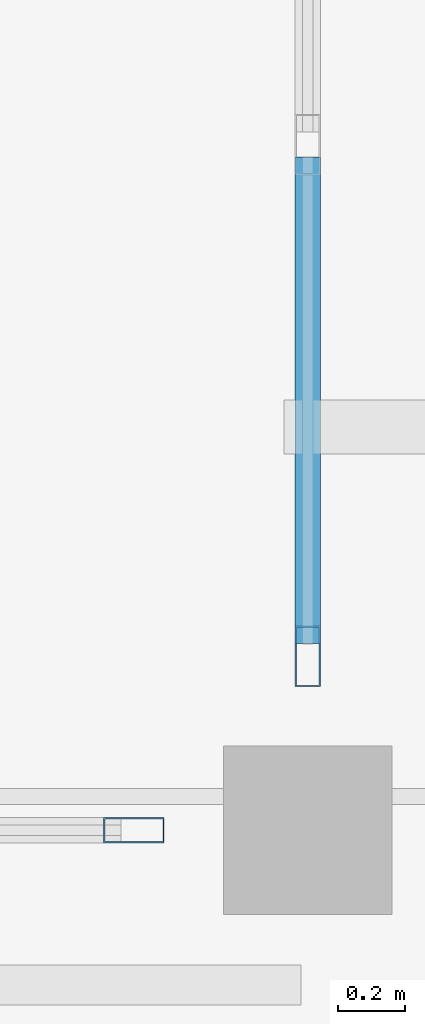
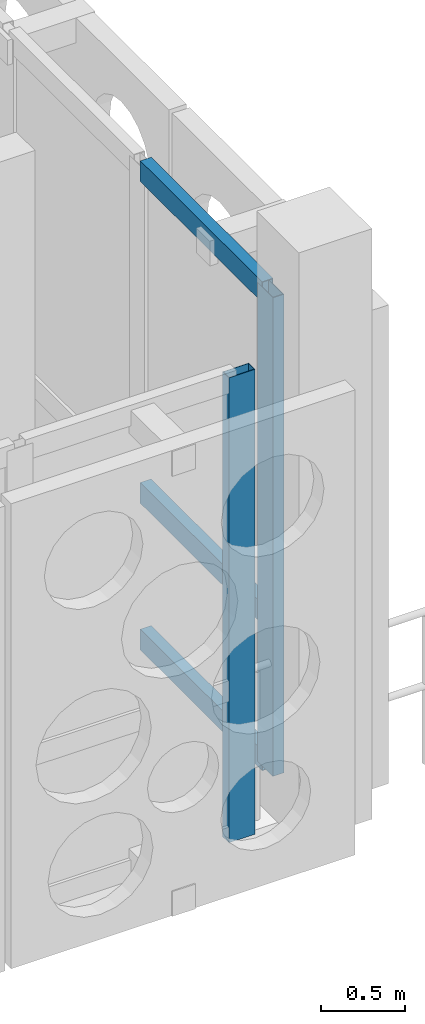
# One storey, part 31 of 171: 5 members, 2 elements without a shape of their own.
"""IFC4 building model written with IfcOpenShell, lengths in metres."""

from ifc_helpers import new_model, si_unit, direction, frame, origin, origin_2d, place, context, subcontext, project, spatial, hollow_rectangle, extrude, material, material_profile, profile_set, type_object, element, aggregate, save


model = new_model("IFC4")

# Units and contexts
model_context = context("Model", 3, precision=1e-05, world=origin(), true_north=direction((0.0, 1.0)))
body_context = subcontext(model_context, "Body", "Model", "MODEL_VIEW")
ifc_project = project(units=[si_unit("LENGTHUNIT", "METRE"), si_unit("AREAUNIT", "SQUARE_METRE"), si_unit("VOLUMEUNIT", "CUBIC_METRE"), si_unit("PLANEANGLEUNIT", "RADIAN"), si_unit("MASSUNIT", "GRAM", prefix="KILO")], contexts=[model_context])

# Site, building, storey
site_placement = place(None, origin())
site = spatial("IfcSite", under=ifc_project, at=site_placement, CompositionType="ELEMENT")
building_placement = place(site_placement, origin())
building = spatial("IfcBuilding", under=site, at=building_placement, Name="Aldebral Square Health Centre", CompositionType="ELEMENT")
storey_placement = place(building_placement, frame((0.0, 0.0, 4.5)))
storey = spatial("IfcBuildingStorey", under=building, at=storey_placement, Name="L01", CompositionType="ELEMENT", Elevation=4.5)

# Curtain wall, member
ifc_material_1 = material(Name="Aluminium and low-E solar glass", Category="aluminium")
curtain_wall_type = type_object("IfcCurtainWallType", Name="CW-HALL-SYS", PredefinedType="USERDEFINED", material=ifc_material_1)
curtain_wall_1_placement = place(storey_placement, origin())
curtain_wall_1 = element("IfcCurtainWall", 1, at=curtain_wall_1_placement, inside=storey, type_object=curtain_wall_type, Name="L01 V1 hall curtain wall L01-V1-10-13-S", ObjectType="HALL_CURTAIN_WALL", PredefinedType="USERDEFINED")
ifc_material_2 = material(Name="Anodised aluminium mullion", Category="aluminium")
ifc_material_profile_1 = material_profile(ifc_material_2, hollow_rectangle(XDim=0.074951171875, YDim=0.179931640625, WallThickness=0.00390625, at=origin_2d()), Name="CWM 75x180x4")
ifc_profile_set_1 = profile_set([ifc_material_profile_1], Name="Anodised aluminium mullion")
member_type_1 = type_object("IfcMemberType", Name="CWM-STD", PredefinedType="MULLION", material=ifc_profile_set_1)
member_1_placement = place(storey_placement, frame((78.6826171875, 93.60009765625, 0.0), z_axis=(0.0, 0.0, 1.0), x_axis=(0.0, 1.0, 0.0)))
member_1 = element("IfcMember", 2, at=member_1_placement, type_object=member_type_1, Name="CW2 mullion 5", PredefinedType="MULLION", context=body_context, shape_type="SweptSolid", body=[
    extrude(hollow_rectangle(XDim=0.074951171875, YDim=0.179931640625, WallThickness=0.00390625, at=origin_2d()), origin(), (0.0, 0.0, 1.0), 3.3701171875),
])
aggregate(curtain_wall_1, [member_1])

# Curtain wall, members
curtain_wall_2_placement = place(storey_placement, origin())
curtain_wall_2 = element("IfcCurtainWall", 3, at=curtain_wall_2_placement, inside=storey, type_object=curtain_wall_type, Name="L01 V1 hall curtain wall L01-V1-10-13-E", ObjectType="HALL_CURTAIN_WALL", PredefinedType="USERDEFINED")
member_2_placement = place(storey_placement, frame((79.199951171875, 94.117431640625, 0.0), z_axis=(0.0, 0.0, 1.0), x_axis=(-1.0, 0.0, 0.0)))
member_2 = element("IfcMember", 4, at=member_2_placement, type_object=member_type_1, Name="CW2 mullion 1", PredefinedType="MULLION", context=body_context, shape_type="SweptSolid", body=[
    extrude(hollow_rectangle(XDim=0.074951171875, YDim=0.179931640625, WallThickness=0.00390625, at=origin_2d()), origin(), (0.0, 0.0, 1.0), 3.469970703125),
])
ifc_material_3 = material(Name="Anodised aluminium transom", Category="aluminium")
ifc_material_profile_2 = material_profile(ifc_material_3, hollow_rectangle(XDim=0.074951171875, YDim=0.14990234375, WallThickness=0.00390625, at=origin_2d()), Name="CWT 75x150x4")
ifc_profile_set_2 = profile_set([ifc_material_profile_2], Name="Anodised aluminium transom")
member_type_2 = type_object("IfcMemberType", Name="CWT-STD", PredefinedType="USERDEFINED", material=ifc_profile_set_2)
member_3_placement = place(storey_placement, frame((79.199951171875, 94.155029296875, 0.03759765625), z_axis=(0.0, 1.0, 0.0), x_axis=(-1.0, 0.0, 0.0)))
member_3 = element("IfcMember", 5, at=member_3_placement, type_object=member_type_2, Name="CW2 transom 1.1", ObjectType="TRANSOM", PredefinedType="USERDEFINED", context=body_context, shape_type="SweptSolid", body=[
    extrude(hollow_rectangle(XDim=0.074951171875, YDim=0.14990234375, WallThickness=0.00390625, at=origin_2d()), origin(), (0.0, 0.0, 1.0), 1.447509765625),
])
member_4_placement = place(storey_placement, frame((79.199951171875, 94.155029296875, 1.10009765625), z_axis=(0.0, 1.0, 0.0), x_axis=(-1.0, 0.0, 0.0)))
member_4 = element("IfcMember", 6, at=member_4_placement, type_object=member_type_2, Name="CW2 transom 1.2", ObjectType="TRANSOM", PredefinedType="USERDEFINED", context=body_context, shape_type="SweptSolid", body=[
    extrude(hollow_rectangle(XDim=0.074951171875, YDim=0.14990234375, WallThickness=0.00390625, at=origin_2d()), origin(), (0.0, 0.0, 1.0), 1.447509765625),
])
member_5_placement = place(storey_placement, frame((79.199951171875, 94.155029296875, 3.4326171875), z_axis=(0.0, 1.0, 0.0), x_axis=(-1.0, 0.0, 0.0)))
member_5 = element("IfcMember", 7, at=member_5_placement, type_object=member_type_2, Name="CW2 transom 1.3", ObjectType="TRANSOM", PredefinedType="USERDEFINED", context=body_context, shape_type="SweptSolid", body=[
    extrude(hollow_rectangle(XDim=0.074951171875, YDim=0.14990234375, WallThickness=0.00390625, at=origin_2d()), origin(), (0.0, 0.0, 1.0), 1.447509765625),
])
aggregate(curtain_wall_2, [member_2, member_3, member_4, member_5])

save(model, "model.ifc")
